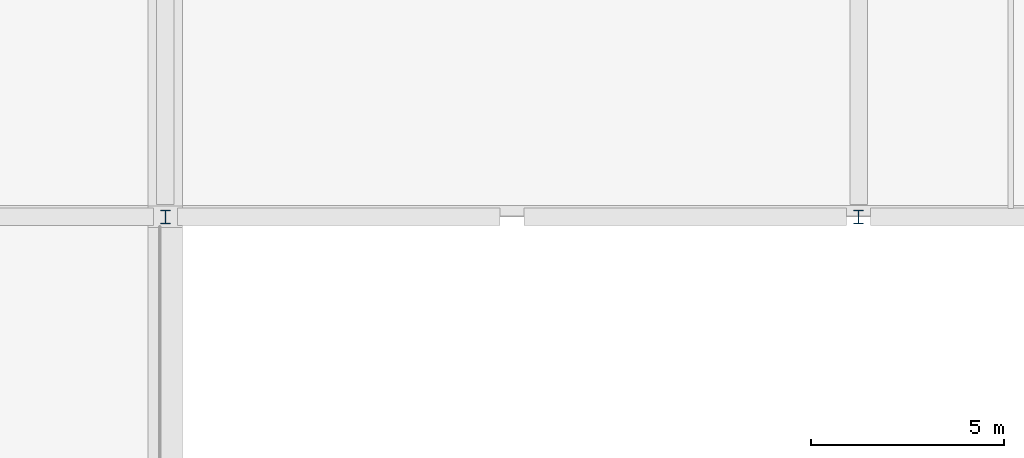
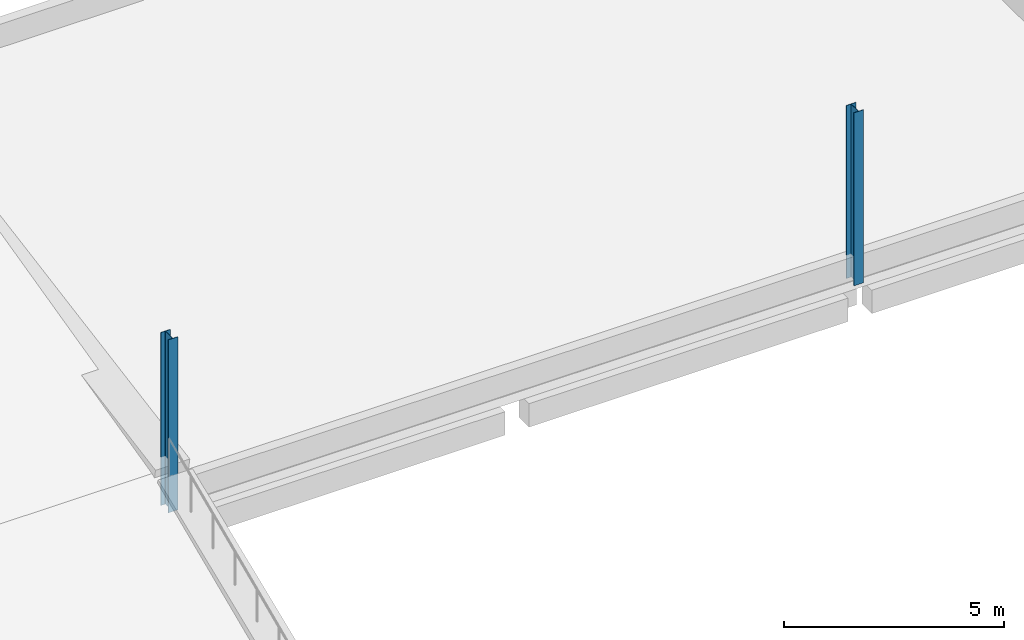
# One storey, part 12 of 66: 2 columns.
"""IFC4 building model written with IfcOpenShell, lengths in metres."""

from ifc_helpers import new_model, si_unit, direction, frame, origin, origin_2d, place, context, subcontext, project, spatial, i_section, extrude, material, material_profile, profile_set, type_object, element, save


model = new_model("IFC4")

# Units and contexts
model_context = context("Model", 3, precision=1e-05, world=origin(), true_north=direction((0.0, 1.0)))
body_context = subcontext(model_context, "Body", "Model", "MODEL_VIEW")
ifc_project = project(units=[si_unit("LENGTHUNIT", "METRE"), si_unit("AREAUNIT", "SQUARE_METRE"), si_unit("VOLUMEUNIT", "CUBIC_METRE"), si_unit("PLANEANGLEUNIT", "RADIAN"), si_unit("MASSUNIT", "GRAM", prefix="KILO"), si_unit("THERMODYNAMICTEMPERATUREUNIT", "KELVIN"), si_unit("POWERUNIT", "WATT")], contexts=[model_context])

# Site, building, storey
site_placement = place(None, origin())
site = spatial("IfcSite", under=ifc_project, at=site_placement, CompositionType="ELEMENT")
building_placement = place(site_placement, origin())
building = spatial("IfcBuilding", under=site, at=building_placement, Name="Sindhuravela Promenade Stadium", CompositionType="ELEMENT")
storey_placement = place(building_placement, frame((0.0, 0.0, 19.199951171875)))
storey = spatial("IfcBuildingStorey", under=building, at=storey_placement, Name="L04", CompositionType="ELEMENT", Elevation=19.199951171875)

# Columns
ifc_material = material(Name="Steel E350 (IS 2062 E350BR)", Category="steel")
ifc_material_profile = material_profile(ifc_material, i_section(OverallWidth=0.25, OverallDepth=0.35009765625, WebThickness=0.010009765625, FlangeThickness=0.01171875, FilletRadius=0.011962890625, at=origin_2d()), Name="ISHB 350")
ifc_profile_set = profile_set([ifc_material_profile], Name="Steel E350 (IS 2062 E350BR)")
column_type = type_object("IfcColumnType", Name="ST-CL-HB350", PredefinedType="COLUMN", material=ifc_profile_set)
for number, where, z_axis, x_axis, name in (
    (1, (135.0, 135.0, 0.0), (0.0, 0.0, 1.0), (1.0, 0.0, 0.0), "Column SC02 NORTH L04"),
    (2, (153.0, 135.0, 0.0), (0.0, 0.0, 1.0), (1.0, 0.0, 0.0), "Column SC02 NORTH L04"),
):
    element("IfcColumn", number, at=place(storey_placement, frame(where, z_axis=z_axis, x_axis=x_axis)), inside=storey, type_object=column_type, Name=name, PredefinedType="COLUMN", context=body_context, shape_type="SweptSolid", body=[
        extrude(i_section(OverallWidth=0.25, OverallDepth=0.35009765625, WebThickness=0.010009765625, FlangeThickness=0.01171875, FilletRadius=0.011962890625, at=origin_2d()), origin(), (0.0, 0.0, 1.0), 4.800048828125),
    ])

save(model, "model.ifc")
